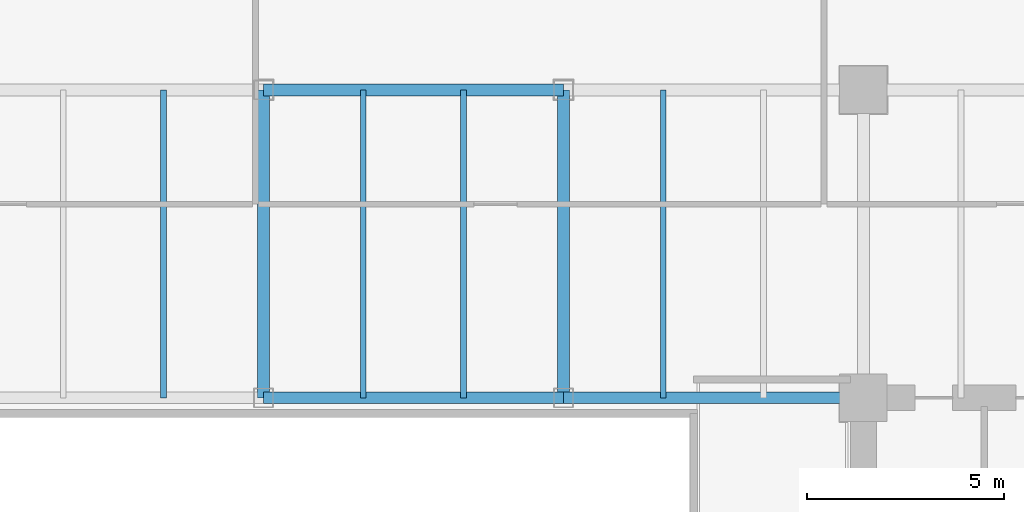
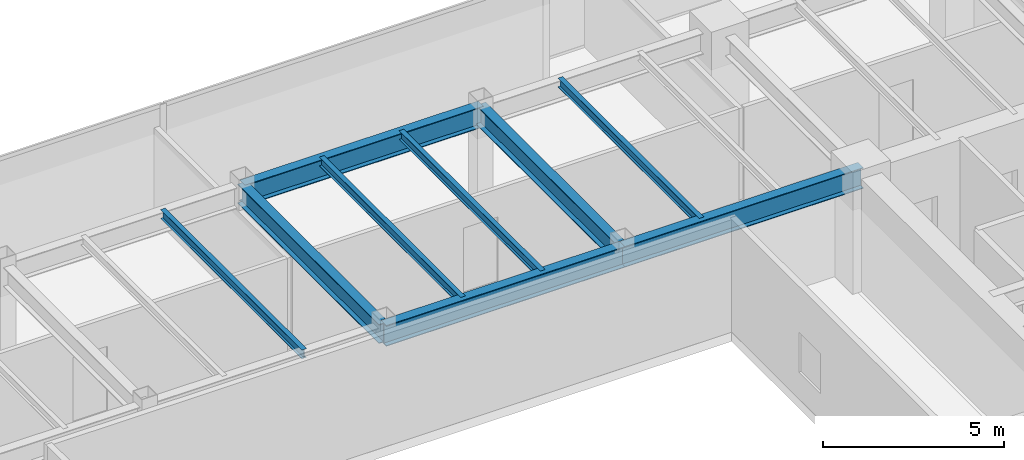
# One storey, part 17 of 33: 9 beams.
"""IFC4 building model written with IfcOpenShell, lengths in metres."""

from ifc_helpers import new_model, si_unit, direction, frame, origin, origin_2d, place, context, subcontext, project, spatial, i_section, extrude, source, transform, mapped, material, material_profile, profile_set, type_object, type_shapes, element, save


model = new_model("IFC4")

# Units and contexts
model_context = context("Model", 3, precision=1e-05, world=origin(), true_north=direction((0.0, 1.0)))
body_context = subcontext(model_context, "Body", "Model", "MODEL_VIEW")
ifc_project = project(units=[si_unit("LENGTHUNIT", "METRE"), si_unit("AREAUNIT", "SQUARE_METRE"), si_unit("VOLUMEUNIT", "CUBIC_METRE"), si_unit("PLANEANGLEUNIT", "RADIAN"), si_unit("MASSUNIT", "GRAM", prefix="KILO")], contexts=[model_context])

# Site, building, storey
site_placement = place(None, origin())
site = spatial("IfcSite", under=ifc_project, at=site_placement, CompositionType="ELEMENT")
building_placement = place(site_placement, origin())
building = spatial("IfcBuilding", under=site, at=building_placement, Name="Haelvirn Gate Laboratories", CompositionType="ELEMENT")
storey_placement = place(building_placement, frame((0.0, 0.0, 137.89990234375)))
storey = spatial("IfcBuildingStorey", under=building, at=storey_placement, Name="L33", CompositionType="ELEMENT", Elevation=137.89990234375)

# Beams
ifc_material = material(Name="Steel SM355", Category="steel")
ifc_material_profile_1 = material_profile(ifc_material, i_section(OverallWidth=0.300048828125, OverallDepth=0.64990234375, WebThickness=0.012939453125, FlangeThickness=0.02197265625, at=origin_2d()), Name="H-650x300x13x22")
ifc_profile_set_1 = profile_set([ifc_material_profile_1], Name="Steel SM355")
beam_type_1 = type_object("IfcBeamType", Name="BM-G-650", PredefinedType="BEAM", material=ifc_profile_set_1)
shared_shape_1 = source(origin(), body_context, "Body", "SweptSolid", [
    extrude(i_section(OverallWidth=0.300048828125, OverallDepth=0.64990234375, WebThickness=0.012939453125, FlangeThickness=0.02197265625, at=origin_2d()), origin(), (0.0, 0.0, 1.0), 7.800048828125),
])
type_shapes(beam_type_1, [shared_shape_1])
for number, where, z_axis, x_axis, name in (
    (1, (37.39990234375, 33.800048828125, 3.465087890625), (0.0, 1.0, 0.0), (-1.0, 0.0, 0.0), "L33 Frame Girder X37.4 (33.8-41.6)"),
    (2, (45.0, 33.800048828125, 3.465087890625), (0.0, 1.0, 0.0), (-1.0, 0.0, 0.0), "L33 Frame Girder X45.0 (33.8-41.6)"),
):
    element("IfcBeam", number, at=place(storey_placement, frame(where, z_axis=z_axis, x_axis=x_axis)), inside=storey, type_object=beam_type_1, Name=name, PredefinedType="BEAM", context=body_context, shape_type="MappedRepresentation", body=[
        mapped(shared_shape_1, transform((0.0, 0.0, 0.0), scale=1.0)),
    ])
ifc_material_profile_2 = material_profile(ifc_material, i_section(OverallWidth=0.300048828125, OverallDepth=0.699951171875, WebThickness=0.012939453125, FlangeThickness=0.02392578125, at=origin_2d()), Name="H-700x300x13x24")
ifc_profile_set_2 = profile_set([ifc_material_profile_2], Name="Steel SM355")
beam_type_2 = type_object("IfcBeamType", Name="BM-G-700", PredefinedType="BEAM", material=ifc_profile_set_2)
shared_shape_2 = source(origin(), body_context, "Body", "SweptSolid", [
    extrude(i_section(OverallWidth=0.300048828125, OverallDepth=0.699951171875, WebThickness=0.012939453125, FlangeThickness=0.02392578125, at=origin_2d()), origin(), (0.0, 0.0, 1.0), 7.60009765625),
])
type_shapes(beam_type_2, [shared_shape_2])
for number, where, z_axis, x_axis, name in (
    (3, (37.39990234375, 33.800048828125, 3.440185546875), (1.0, 0.0, 0.0), (0.0, 1.0, 0.0), "L33 Primary Girder Y33.8 (37.4-45.0)"),
    (4, (45.0, 33.800048828125, 3.440185546875), (1.0, 0.0, 0.0), (0.0, 1.0, 0.0), "L33 Primary Girder Y33.8 (45.0-52.6)"),
    (5, (37.39990234375, 41.60009765625, 3.440185546875), (1.0, 0.0, 0.0), (0.0, 1.0, 0.0), "L33 Primary Girder Y41.6 (37.4-45.0)"),
):
    element("IfcBeam", number, at=place(storey_placement, frame(where, z_axis=z_axis, x_axis=x_axis)), inside=storey, type_object=beam_type_2, Name=name, PredefinedType="BEAM", context=body_context, shape_type="MappedRepresentation", body=[
        mapped(shared_shape_2, transform((0.0, 0.0, 0.0), scale=1.0)),
    ])
ifc_material_profile_3 = material_profile(ifc_material, i_section(OverallWidth=0.14990234375, OverallDepth=0.300048828125, WebThickness=0.006591796875, FlangeThickness=0.009033203125, at=origin_2d()), Name="H-300x150x6.5x9")
ifc_profile_set_3 = profile_set([ifc_material_profile_3], Name="Steel SM355")
beam_type_3 = type_object("IfcBeamType", Name="BM-J-300", PredefinedType="JOIST", material=ifc_profile_set_3)
shared_shape_3 = source(origin(), body_context, "Body", "SweptSolid", [
    extrude(i_section(OverallWidth=0.14990234375, OverallDepth=0.300048828125, WebThickness=0.006591796875, FlangeThickness=0.009033203125, at=origin_2d()), origin(), (0.0, 0.0, 1.0), 7.800048828125),
])
type_shapes(beam_type_3, [shared_shape_3])
for number, where, z_axis, x_axis, name in (
    (6, (34.8701171875, 33.800048828125, 3.64013671875), (0.0, 1.0, 0.0), (-1.0, 0.0, 0.0), "L33 Composite Lab Joist North X34.87"),
    (7, (39.929931640625, 33.800048828125, 3.64013671875), (0.0, 1.0, 0.0), (-1.0, 0.0, 0.0), "L33 Composite Lab Joist North X39.93"),
    (8, (42.469970703125, 33.800048828125, 3.64013671875), (0.0, 1.0, 0.0), (-1.0, 0.0, 0.0), "L33 Composite Lab Joist North X42.47"),
    (9, (47.530029296875, 33.800048828125, 3.64013671875), (0.0, 1.0, 0.0), (-1.0, 0.0, 0.0), "L33 Composite Lab Joist North X47.53"),
):
    element("IfcBeam", number, at=place(storey_placement, frame(where, z_axis=z_axis, x_axis=x_axis)), inside=storey, type_object=beam_type_3, Name=name, PredefinedType="JOIST", context=body_context, shape_type="MappedRepresentation", body=[
        mapped(shared_shape_3, transform((0.0, 0.0, 0.0), scale=1.0)),
    ])

save(model, "model.ifc")
